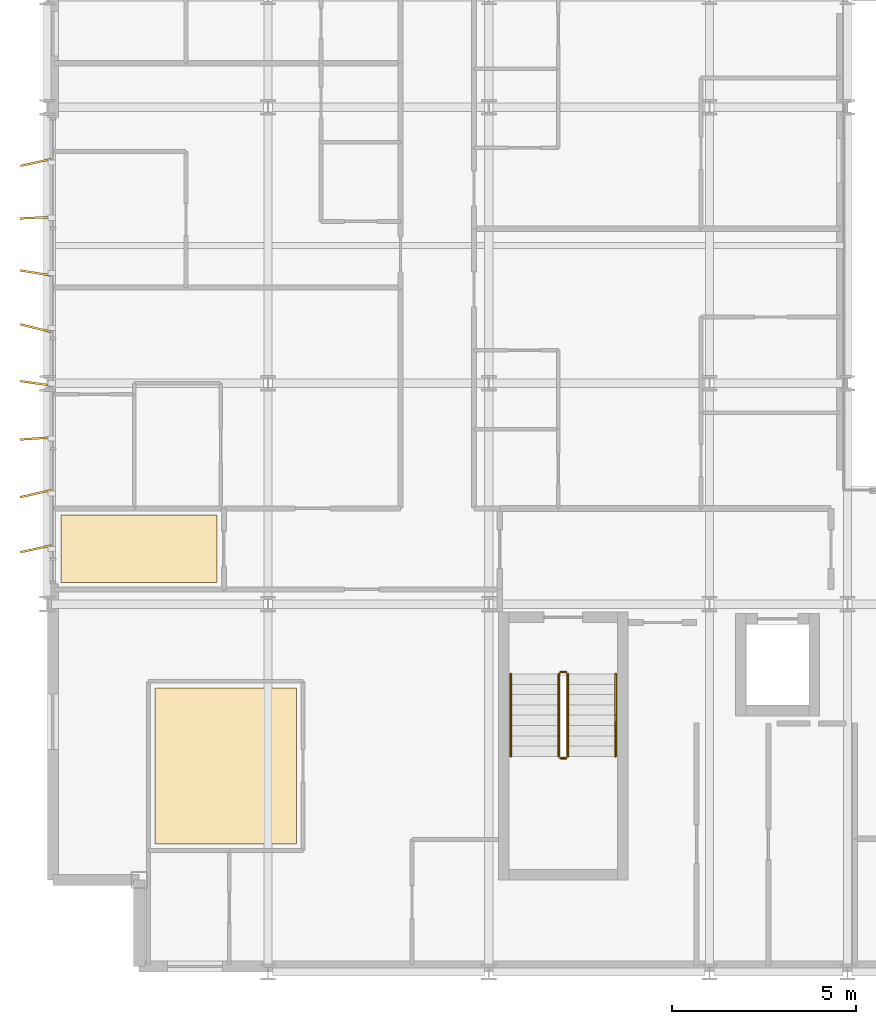
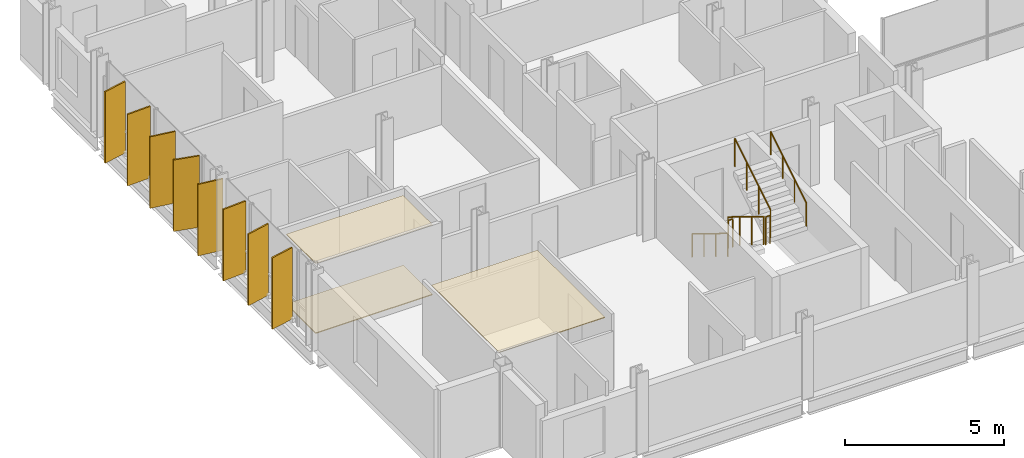
# One storey, part 36 of 39: 8 shading devices, 6 railings, 3 coverings.
"""IFC4 building model written with IfcOpenShell, lengths in metres."""

from ifc_helpers import new_model, si_unit, direction, frame, origin, origin_2d, place, context, subcontext, project, spatial, polyline, rectangle, circle, outline, extrude, material, layer, layer_set, type_object, element, save


model = new_model("IFC4")

# Units and contexts
model_context = context("Model", 3, precision=1e-05, world=origin(), true_north=direction((0.0, 1.0)))
body_context = subcontext(model_context, "Body", "Model", "MODEL_VIEW")
ifc_project = project(units=[si_unit("LENGTHUNIT", "METRE"), si_unit("AREAUNIT", "SQUARE_METRE"), si_unit("VOLUMEUNIT", "CUBIC_METRE"), si_unit("PLANEANGLEUNIT", "RADIAN"), si_unit("MASSUNIT", "GRAM", prefix="KILO")], contexts=[model_context])

# Site, building, storey
site_placement = place(None, origin())
site = spatial("IfcSite", under=ifc_project, at=site_placement, CompositionType="ELEMENT")
building_placement = place(site_placement, origin())
building = spatial("IfcBuilding", under=site, at=building_placement, Name="Brevholm Reach", CompositionType="ELEMENT")
storey_placement = place(building_placement, frame((0.0, 0.0, 103.5)))
storey = spatial("IfcBuildingStorey", under=building, at=storey_placement, Name="L30", CompositionType="ELEMENT", Elevation=103.5)

# Coverings
ifc_material_1 = material(Name="Moisture-Resistant Skimmed Gypsum Plasterboard Ceiling", Category="gypsum")
ifc_layer_1 = layer(ifc_material_1, 0.030029296875)
ifc_layer_set_1 = layer_set([ifc_layer_1], Name="Moisture-Resistant Skimmed Gypsum Plasterboard Ceiling")
covering_type_1 = type_object("IfcCoveringType", Name="COV-CLG-GYP", PredefinedType="CEILING", material=ifc_layer_set_1)
covering_1_placement = place(storey_placement, frame((0.0, 0.0, 2.679931640625)))
element("IfcCovering", 1, at=covering_1_placement, inside=storey, type_object=covering_type_1, Name="L30 Suspended Ceiling L30-27", PredefinedType="CEILING", context=body_context, shape_type="SweptSolid", body=[
    extrude(outline(polyline([(2.929931640625, 7.719970703125), (6.77001953125, 7.719970703125), (6.77001953125, 3.47998046875), (4.984375, 3.47998046875), (4.982177734375, 3.48046875), (4.964599609375, 3.483154296875), (4.947021484375, 3.48388671875), (2.929931640625, 3.48388671875), (2.929931640625, 7.719970703125)])), origin(), (0.0, 0.0, 1.0), 0.030029296875),
])
covering_2_placement = place(storey_placement, frame((0.0, 0.0, 2.679931640625)))
element("IfcCovering", 2, at=covering_2_placement, inside=storey, type_object=covering_type_1, Name="L30 Suspended Ceiling L30-29", PredefinedType="CEILING", context=body_context, shape_type="SweptSolid", body=[
    extrude(outline(polyline([(0.3798828125, 12.419921875), (4.615966796875, 12.419921875), (4.615966796875, 10.583984375), (0.3798828125, 10.583984375), (0.3798828125, 12.419921875)])), origin(), (0.0, 0.0, 1.0), 0.030029296875),
])
ifc_material_2 = material(Name="Honed Portland-Aggregate Resin Terrazzo Flooring", Category="concrete")
ifc_layer_2 = layer(ifc_material_2, 0.031982421875)
ifc_layer_set_2 = layer_set([ifc_layer_2], Name="Honed Portland-Aggregate Resin Terrazzo Flooring")
covering_type_2 = type_object("IfcCoveringType", Name="COV-FLR-TRZ", PredefinedType="FLOORING", material=ifc_layer_set_2)
covering_3_placement = place(storey_placement, origin())
element("IfcCovering", 3, at=covering_3_placement, inside=storey, type_object=covering_type_2, Name="L30 Floor Finish L30-29", PredefinedType="FLOORING", context=body_context, shape_type="SweptSolid", body=[
    extrude(outline(polyline([(0.3798828125, 12.419921875), (4.615966796875, 12.419921875), (4.615966796875, 10.583984375), (0.3798828125, 10.583984375), (0.3798828125, 12.419921875)])), origin(), (0.0, 0.0, 1.0), 0.031982421875),
])

# Railings
ifc_material_3 = material(Name="Brushed Stainless Steel EN 1.4401 Continuous Handrail", Category="steel")
railing_type_1 = type_object("IfcRailingType", Name="RAL-HND-950", PredefinedType="HANDRAIL", material=ifc_material_3)
railing_1_placement = place(storey_placement, frame((12.60009765625, 8.10009765625, 0.172119140625)))
element("IfcRailing", 4, at=railing_1_placement, inside=storey, type_object=railing_type_1, Name="L30 ST-1 stair handrail 1", PredefinedType="HANDRAIL", context=body_context, shape_type="SweptSolid", body=[
    extrude(circle(Radius=0.02392578125, at=origin_2d()), frame((0.0, 0.0, 0.8857421875), z_axis=(0.0, -0.851747552033, 0.523952390591), x_axis=(1.0, 0.0, 0.0)), (0.0, 0.0, 1.0), 2.6298828125),
    extrude(circle(Radius=0.02099609375, at=origin_2d()), origin(), (0.0, 0.0, 1.0), 0.86181640625),
    extrude(circle(Radius=0.02099609375, at=origin_2d()), frame((0.0, -0.74658203125, 0.459228515625)), (0.0, 0.0, 1.0), 0.86181640625),
    extrude(circle(Radius=0.02099609375, at=origin_2d()), frame((0.0, -1.493408203125, 0.918701171875)), (0.0, 0.0, 1.0), 0.86181640625),
    extrude(circle(Radius=0.02099609375, at=origin_2d()), frame((0.0, -2.239990234375, 1.3779296875)), (0.0, 0.0, 1.0), 0.86181640625),
])
railing_2_placement = place(storey_placement, frame((15.449951171875, 5.860107421875, 1.72216796875)))
element("IfcRailing", 5, at=railing_2_placement, inside=storey, type_object=railing_type_1, Name="L30 ST-1 stair handrail 2", PredefinedType="HANDRAIL", context=body_context, shape_type="SweptSolid", body=[
    extrude(circle(Radius=0.02392578125, at=origin_2d()), frame((0.0, 0.0, 0.8857421875), z_axis=(0.0, 0.851747552033, 0.523952390591), x_axis=(-1.0, 0.0, 0.0)), (0.0, 0.0, 1.0), 2.6298828125),
    extrude(circle(Radius=0.02099609375, at=origin_2d()), origin(), (0.0, 0.0, 1.0), 0.86181640625),
    extrude(circle(Radius=0.02099609375, at=origin_2d()), frame((0.0, 0.74658203125, 0.459228515625)), (0.0, 0.0, 1.0), 0.86181640625),
    extrude(circle(Radius=0.02099609375, at=origin_2d()), frame((0.0, 1.493408203125, 0.918701171875)), (0.0, 0.0, 1.0), 0.86181640625),
    extrude(circle(Radius=0.02099609375, at=origin_2d()), frame((0.0, 2.239990234375, 1.3779296875)), (0.0, 0.0, 1.0), 0.86181640625),
])
ifc_material_4 = material(Name="Painted Tubular Galvanised Steel S275JR Stair Guard", Category="steel")
railing_type_2 = type_object("IfcRailingType", Name="RAL-STG-1120", PredefinedType="BALUSTRADE", material=ifc_material_4)
railing_3_placement = place(storey_placement, frame((13.89990234375, 8.10009765625, 0.172119140625)))
element("IfcRailing", 6, at=railing_3_placement, inside=storey, type_object=railing_type_2, Name="L30 ST-1 stair guard 1", PredefinedType="BALUSTRADE", context=body_context, shape_type="SweptSolid", body=[
    extrude(circle(Radius=0.02392578125, at=origin_2d()), frame((0.0, 0.0, 1.076171875), z_axis=(0.0, -0.851747552033, 0.523952390591), x_axis=(1.0, 0.0, 0.0)), (0.0, 0.0, 1.0), 2.6298828125),
    extrude(circle(Radius=0.02099609375, at=origin_2d()), origin(), (0.0, 0.0, 1.0), 1.052001953125),
    extrude(circle(Radius=0.02099609375, at=origin_2d()), frame((0.0, -0.74658203125, 0.459228515625)), (0.0, 0.0, 1.0), 1.052001953125),
    extrude(circle(Radius=0.02099609375, at=origin_2d()), frame((0.0, -1.493408203125, 0.918701171875)), (0.0, 0.0, 1.0), 1.052001953125),
    extrude(circle(Radius=0.02099609375, at=origin_2d()), frame((0.0, -2.239990234375, 1.3779296875)), (0.0, 0.0, 1.0), 1.052001953125),
])
railing_4_placement = place(storey_placement, frame((13.949951171875, 5.81005859375, 1.550048828125)))
element("IfcRailing", 7, at=railing_4_placement, inside=storey, type_object=railing_type_2, Name="L30 ST-1 stair guard 2", PredefinedType="BALUSTRADE", context=body_context, shape_type="SweptSolid", body=[
    extrude(circle(Radius=0.02392578125, at=origin_2d()), frame((0.0, 0.0, 1.076171875), z_axis=(1.0, 0.0, 0.0), x_axis=(0.0, 1.0, 0.0)), (0.0, 0.0, 1.0), 0.150146484375),
    extrude(circle(Radius=0.02099609375, at=origin_2d()), origin(), (0.0, 0.0, 1.0), 1.052001953125),
    extrude(circle(Radius=0.02099609375, at=origin_2d()), frame((0.150146484375, 0.0, 0.0)), (0.0, 0.0, 1.0), 1.052001953125),
])
railing_5_placement = place(storey_placement, frame((14.14990234375, 5.860107421875, 1.72216796875)))
element("IfcRailing", 8, at=railing_5_placement, inside=storey, type_object=railing_type_2, Name="L30 ST-1 stair guard 3", PredefinedType="BALUSTRADE", context=body_context, shape_type="SweptSolid", body=[
    extrude(circle(Radius=0.02392578125, at=origin_2d()), frame((0.0, 0.0, 1.076171875), z_axis=(0.0, 0.851747552033, 0.523952390591), x_axis=(-1.0, 0.0, 0.0)), (0.0, 0.0, 1.0), 2.6298828125),
    extrude(circle(Radius=0.02099609375, at=origin_2d()), origin(), (0.0, 0.0, 1.0), 1.052001953125),
    extrude(circle(Radius=0.02099609375, at=origin_2d()), frame((0.0, 0.74658203125, 0.459228515625)), (0.0, 0.0, 1.0), 1.052001953125),
    extrude(circle(Radius=0.02099609375, at=origin_2d()), frame((0.0, 1.493408203125, 0.918701171875)), (0.0, 0.0, 1.0), 1.052001953125),
    extrude(circle(Radius=0.02099609375, at=origin_2d()), frame((0.0, 2.239990234375, 1.3779296875)), (0.0, 0.0, 1.0), 1.052001953125),
])
railing_6_placement = place(storey_placement, frame((13.949951171875, 8.14990234375, 0.0)))
element("IfcRailing", 9, at=railing_6_placement, inside=storey, type_object=railing_type_2, Name="L30 ST-1 stair guard 4", PredefinedType="BALUSTRADE", context=body_context, shape_type="SweptSolid", body=[
    extrude(circle(Radius=0.02392578125, at=origin_2d()), frame((0.0, 0.0, 1.076171875), z_axis=(1.0, 0.0, 0.0), x_axis=(0.0, 1.0, 0.0)), (0.0, 0.0, 1.0), 0.150146484375),
    extrude(circle(Radius=0.02099609375, at=origin_2d()), origin(), (0.0, 0.0, 1.0), 1.052001953125),
    extrude(circle(Radius=0.02099609375, at=origin_2d()), frame((0.150146484375, 0.0, 0.0)), (0.0, 0.0, 1.0), 1.052001953125),
])

# Shading devices
ifc_material_5 = material(Name="Perforated Champagne-Bronze Anodised Aluminium", Category="aluminium")
ifc_layer_3 = layer(ifc_material_5, 0.054931640625)
ifc_layer_set_3 = layer_set([ifc_layer_3], Name="Perforated Champagne-Bronze Anodised Aluminium")
shading_device_type = type_object("IfcShadingDeviceType", Name="SHD-FIN-850", PredefinedType="USERDEFINED", material=ifc_layer_set_3)
for number, where, z_axis, x_axis, name in (
    (10, (-0.31494140625, 11.5, 0.06982421875), (0.0, 0.0, 1.0), (-0.976986047034, -0.213303220561, 0.0), "L30 Perforated Solar Screen Fin 1"),
    (11, (-0.31494140625, 13.0, 0.06982421875), (0.0, 0.0, 1.0), (-0.974823499377, -0.222977902634, 0.0), "L30 Perforated Solar Screen Fin 2"),
    (12, (-0.31494140625, 14.5, 0.06982421875), (0.0, 0.0, 1.0), (-0.997858923239, -0.06540312923, 0.0), "L30 Perforated Solar Screen Fin 3"),
    (13, (-0.31494140625, 16.0, 0.06982421875), (0.0, 0.0, 1.0), (-0.989756306504, 0.142767131147, 0.0), "L30 Perforated Solar Screen Fin 4"),
    (14, (-0.31494140625, 17.5, 0.06982421875), (0.0, 0.0, 1.0), (-0.970359028028, 0.241667864485, 0.0), "L30 Perforated Solar Screen Fin 5"),
    (15, (-0.31494140625, 19.0, 0.06982421875), (0.0, 0.0, 1.0), (-0.987049616544, 0.160415256382, 0.0), "L30 Perforated Solar Screen Fin 6"),
    (16, (-0.31494140625, 20.5, 0.06982421875), (0.0, 0.0, 1.0), (-0.999067912569, -0.043166029188, 0.0), "L30 Perforated Solar Screen Fin 7"),
    (17, (-0.31494140625, 22.0, 0.06982421875), (0.0, 0.0, 1.0), (-0.976986047034, -0.213303220561, 0.0), "L30 Perforated Solar Screen Fin 8"),
):
    element("IfcShadingDevice", number, at=place(storey_placement, frame(where, z_axis=z_axis, x_axis=x_axis)), inside=storey, type_object=shading_device_type, Name=name, ObjectType="SCREEN", PredefinedType="USERDEFINED", context=body_context, shape_type="SweptSolid", body=[
        extrude(rectangle(XDim=0.85009765625, YDim=0.054931640625, at=origin_2d()), origin(), (0.0, 0.0, 1.0), 2.739990234375),
    ])

save(model, "model.ifc")
